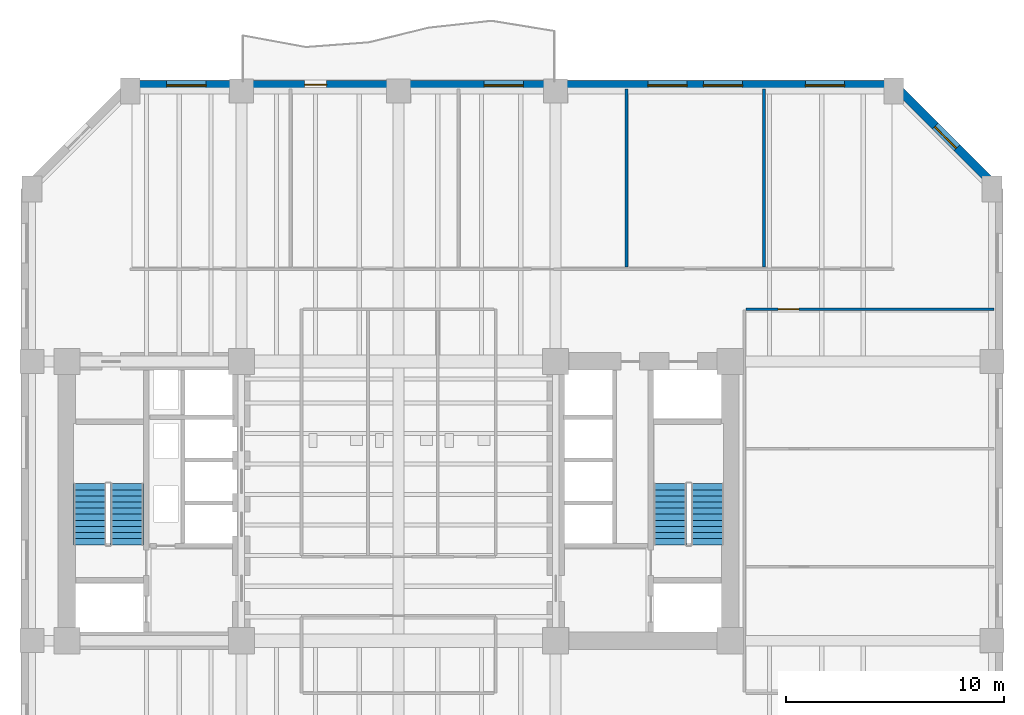
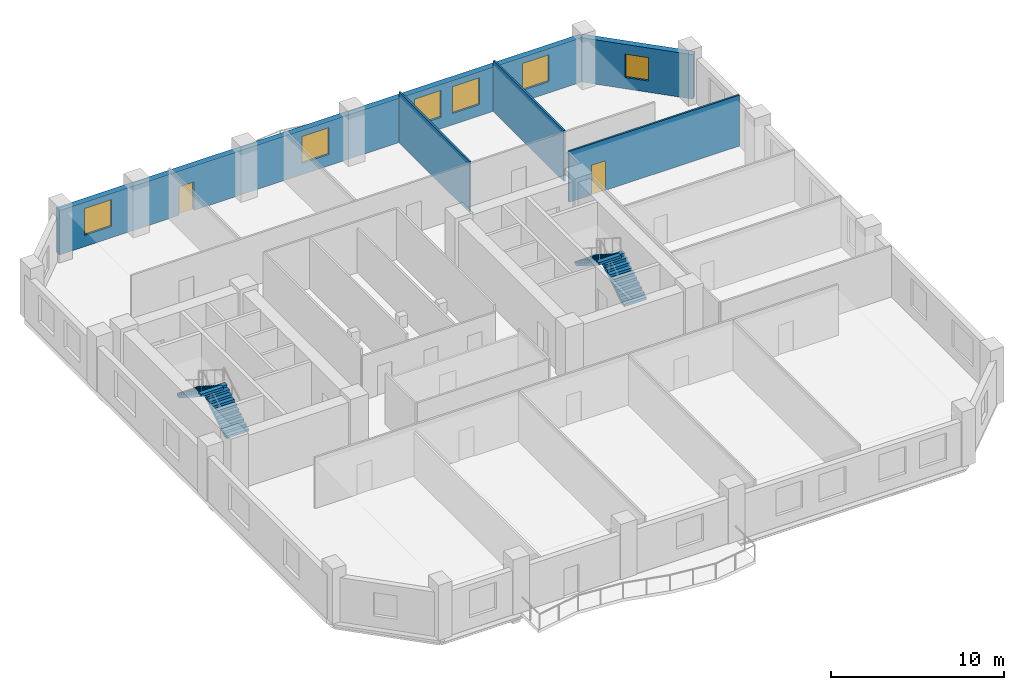
# One storey, part 5 of 9: 6 windows, 5 walls, 4 stair flights, 2 doors, 8 openings, 2 elements without a shape of their own.
"""IFC4 building model written with IfcOpenShell, lengths in metres."""

from ifc_helpers import new_model, si_unit, direction, frame, frame_2d, origin, place, context, subcontext, project, spatial, polyline, rectangle, outline, extrude, material, layer, layer_set, type_object, element, fill, aggregate, save


model = new_model("IFC4")

# Units and contexts
model_context = context("Model", 3, precision=1e-05, world=origin(), true_north=direction((0.0, 1.0)))
body_context = subcontext(model_context, "Body", "Model", "MODEL_VIEW")
ifc_project = project(units=[si_unit("LENGTHUNIT", "METRE"), si_unit("AREAUNIT", "SQUARE_METRE"), si_unit("VOLUMEUNIT", "CUBIC_METRE"), si_unit("PLANEANGLEUNIT", "RADIAN"), si_unit("MASSUNIT", "GRAM", prefix="KILO")], contexts=[model_context])

# Site, building, storey
site_placement = place(None, origin())
site = spatial("IfcSite", under=ifc_project, at=site_placement, CompositionType="ELEMENT")
building_placement = place(site_placement, origin())
building = spatial("IfcBuilding", under=site, at=building_placement, Name="Kranthara Brick Stack", CompositionType="ELEMENT")
storey_placement = place(building_placement, frame((0.0, 0.0, 59.39990234375)))
storey = spatial("IfcBuildingStorey", under=building, at=storey_placement, Name="L14", CompositionType="ELEMENT", Elevation=59.39990234375)

# Wall, openings, door, windows
ifc_material_1 = material(Name="Kiln-fired clay brick masonry M15", Category="masonry")
ifc_layer_1 = layer(ifc_material_1, 0.3798828125)
ifc_layer_set_1 = layer_set([ifc_layer_1], Name="Kiln-fired clay brick masonry M15")
wall_type_1 = type_object("IfcWallType", Name="WL-BRK-PIER-380", PredefinedType="STANDARD", material=ifc_layer_set_1)
wall_1_placement = place(storey_placement, frame((15.699951171875, 46.2900390625, 0.0), z_axis=(0.0, 0.0, 1.0), x_axis=(1.0, 0.0, 0.0)))
wall_1 = element("IfcWall", 1, at=wall_1_placement, inside=storey, type_object=wall_type_1, Name="L14 Exterior Brick Facade Wall NORTH 1", PredefinedType="STANDARD", context=body_context, shape_type="SweptSolid", body=[
    extrude(rectangle(XDim=35.0, YDim=0.3798828125, at=frame_2d((17.5, 0.0))), origin(), (0.0, 0.0, 1.0), 3.135009765625),
])
opening_1_placement = place(wall_1_placement, frame((8.0, 0.0, 0.0)))
opening_1 = element("IfcOpeningElement", 2, at=opening_1_placement, cuts=wall_1, Name="Opening D03", PredefinedType="OPENING", context=body_context, shape_type="SweptSolid", body=[
    extrude(rectangle(XDim=1.0, YDim=2.02001953125, at=frame_2d((0.5, 1.010009765625))), frame((0.0, 0.199951171875, 0.0), z_axis=(0.0, -1.0, 0.0), x_axis=(1.0, 0.0, 0.0)), (0.0, 0.0, 1.0), 0.39990234375),
])
opening_2_placement = place(wall_1_placement, frame((1.675048828125, 0.0, 0.800048828125)))
opening_2 = element("IfcOpeningElement", 3, at=opening_2_placement, cuts=wall_1, Name="Opening WN01", PredefinedType="OPENING", context=body_context, shape_type="SweptSolid", body=[
    extrude(rectangle(XDim=1.800048828125, YDim=1.89990234375, at=frame_2d((0.89990234375, 0.949951171875))), frame((0.0, 0.199951171875, 0.0), z_axis=(0.0, -1.0, 0.0), x_axis=(1.0, 0.0, 0.0)), (0.0, 0.0, 1.0), 0.39990234375),
])
opening_3_placement = place(wall_1_placement, frame((16.22509765625, 0.0, 0.800048828125)))
opening_3 = element("IfcOpeningElement", 4, at=opening_3_placement, cuts=wall_1, Name="Opening WN01", PredefinedType="OPENING", context=body_context, shape_type="SweptSolid", body=[
    extrude(rectangle(XDim=1.800048828125, YDim=1.89990234375, at=frame_2d((0.89990234375, 0.949951171875))), frame((0.0, 0.199951171875, 0.0), z_axis=(0.0, -1.0, 0.0), x_axis=(1.0, 0.0, 0.0)), (0.0, 0.0, 1.0), 0.39990234375),
])
opening_4_placement = place(wall_1_placement, frame((23.72802734375, 0.0, 0.800048828125)))
opening_4 = element("IfcOpeningElement", 5, at=opening_4_placement, cuts=wall_1, Name="Opening WN01", PredefinedType="OPENING", context=body_context, shape_type="SweptSolid", body=[
    extrude(rectangle(XDim=1.800048828125, YDim=1.89990234375, at=frame_2d((0.89990234375, 0.949951171875))), frame((0.0, 0.199951171875, 0.0), z_axis=(0.0, -1.0, 0.0), x_axis=(1.0, 0.0, 0.0)), (0.0, 0.0, 1.0), 0.39990234375),
])
opening_5_placement = place(wall_1_placement, frame((26.27197265625, 0.0, 0.800048828125)))
opening_5 = element("IfcOpeningElement", 6, at=opening_5_placement, cuts=wall_1, Name="Opening WN01", PredefinedType="OPENING", context=body_context, shape_type="SweptSolid", body=[
    extrude(rectangle(XDim=1.800048828125, YDim=1.89990234375, at=frame_2d((0.89990234375, 0.949951171875))), frame((0.0, 0.199951171875, 0.0), z_axis=(0.0, -1.0, 0.0), x_axis=(1.0, 0.0, 0.0)), (0.0, 0.0, 1.0), 0.39990234375),
])
opening_6_placement = place(wall_1_placement, frame((30.949951171875, 0.0, 0.800048828125)))
opening_6 = element("IfcOpeningElement", 7, at=opening_6_placement, cuts=wall_1, Name="Opening WN01", PredefinedType="OPENING", context=body_context, shape_type="SweptSolid", body=[
    extrude(rectangle(XDim=1.800048828125, YDim=1.89990234375, at=frame_2d((0.89990234375, 0.949951171875))), frame((0.0, 0.199951171875, 0.0), z_axis=(0.0, -1.0, 0.0), x_axis=(1.0, 0.0, 0.0)), (0.0, 0.0, 1.0), 0.39990234375),
])
ifc_material_2 = material(Name="Bronze anodised aluminium and laminated glass", Category="aluminium")
door_type_1 = type_object("IfcDoorType", Name="DR-BALC-1000", OperationType="NOTDEFINED", PredefinedType="DOOR", material=ifc_material_2)
door_1_placement = place(opening_1_placement, origin())
door_1 = element("IfcDoor", 8, at=door_1_placement, inside=storey, type_object=door_type_1, Name="L14 North Balcony Terrace Door", OperationType="SINGLE_SWING_RIGHT", OverallHeight=2.02001953125, OverallWidth=1.0, PredefinedType="DOOR", context=body_context, shape_type="SweptSolid", body=[
    extrude(rectangle(XDim=1.0, YDim=2.02001953125, at=frame_2d((0.5, 1.010009765625))), frame((0.0, 0.02490234375, 0.0), z_axis=(0.0, -1.0, 0.0), x_axis=(1.0, 0.0, 0.0)), (0.0, 0.0, 1.0), 0.050048828125),
])
fill(opening_1, door_1)
ifc_material_3 = material(Name="Double-glazed low-E solar control glass", Category="glass")
window_type_1 = type_object("IfcWindowType", Name="WN-OFF-1800x2000", PartitioningType="SINGLE_PANEL", PredefinedType="WINDOW", material=ifc_material_3)
window_1_placement = place(opening_2_placement, origin())
window_1 = element("IfcWindow", 9, at=window_1_placement, inside=storey, type_object=window_type_1, Name="L14 North Deep-Set Brick Window 01", OverallHeight=1.89990234375, OverallWidth=1.800048828125, PartitioningType="SINGLE_PANEL", PredefinedType="WINDOW", context=body_context, shape_type="SweptSolid", body=[
    extrude(rectangle(XDim=1.800048828125, YDim=1.89990234375, at=frame_2d((0.89990234375, 0.949951171875))), frame((0.0, -0.010009765625, 0.0), z_axis=(0.0, -1.0, 0.0), x_axis=(1.0, 0.0, 0.0)), (0.0, 0.0, 1.0), 0.06005859375),
])
fill(opening_2, window_1)
window_2_placement = place(opening_3_placement, origin())
window_2 = element("IfcWindow", 10, at=window_2_placement, inside=storey, type_object=window_type_1, Name="L14 North Deep-Set Brick Window 02", OverallHeight=1.89990234375, OverallWidth=1.800048828125, PartitioningType="SINGLE_PANEL", PredefinedType="WINDOW", context=body_context, shape_type="SweptSolid", body=[
    extrude(rectangle(XDim=1.800048828125, YDim=1.89990234375, at=frame_2d((0.89990234375, 0.949951171875))), frame((0.0, -0.010009765625, 0.0), z_axis=(0.0, -1.0, 0.0), x_axis=(1.0, 0.0, 0.0)), (0.0, 0.0, 1.0), 0.06005859375),
])
fill(opening_3, window_2)
window_3_placement = place(opening_4_placement, origin())
window_3 = element("IfcWindow", 11, at=window_3_placement, inside=storey, type_object=window_type_1, Name="L14 North Deep-Set Brick Window 03", OverallHeight=1.89990234375, OverallWidth=1.800048828125, PartitioningType="SINGLE_PANEL", PredefinedType="WINDOW", context=body_context, shape_type="SweptSolid", body=[
    extrude(rectangle(XDim=1.800048828125, YDim=1.89990234375, at=frame_2d((0.89990234375, 0.949951171875))), frame((0.0, -0.010009765625, 0.0), z_axis=(0.0, -1.0, 0.0), x_axis=(1.0, 0.0, 0.0)), (0.0, 0.0, 1.0), 0.06005859375),
])
fill(opening_4, window_3)
window_4_placement = place(opening_5_placement, origin())
window_4 = element("IfcWindow", 12, at=window_4_placement, inside=storey, type_object=window_type_1, Name="L14 North Deep-Set Brick Window 04", OverallHeight=1.89990234375, OverallWidth=1.800048828125, PartitioningType="SINGLE_PANEL", PredefinedType="WINDOW", context=body_context, shape_type="SweptSolid", body=[
    extrude(rectangle(XDim=1.800048828125, YDim=1.89990234375, at=frame_2d((0.89990234375, 0.949951171875))), frame((0.0, -0.010009765625, 0.0), z_axis=(0.0, -1.0, 0.0), x_axis=(1.0, 0.0, 0.0)), (0.0, 0.0, 1.0), 0.06005859375),
])
fill(opening_5, window_4)
window_5_placement = place(opening_6_placement, origin())
window_5 = element("IfcWindow", 13, at=window_5_placement, inside=storey, type_object=window_type_1, Name="L14 North Deep-Set Brick Window 05", OverallHeight=1.89990234375, OverallWidth=1.800048828125, PartitioningType="SINGLE_PANEL", PredefinedType="WINDOW", context=body_context, shape_type="SweptSolid", body=[
    extrude(rectangle(XDim=1.800048828125, YDim=1.89990234375, at=frame_2d((0.89990234375, 0.949951171875))), frame((0.0, -0.010009765625, 0.0), z_axis=(0.0, -1.0, 0.0), x_axis=(1.0, 0.0, 0.0)), (0.0, 0.0, 1.0), 0.06005859375),
])
fill(opening_6, window_5)

# Wall, opening, window
wall_2_placement = place(storey_placement, frame((50.699951171875, 46.2900390625, 0.0), z_axis=(0.0, 0.0, 1.0), x_axis=(0.707106781187, -0.707106781187, 0.0)))
wall_2 = element("IfcWall", 14, at=wall_2_placement, inside=storey, type_object=wall_type_1, Name="L14 Exterior Brick Facade Wall NE 1", PredefinedType="STANDARD", context=body_context, shape_type="SweptSolid", body=[
    extrude(rectangle(XDim=6.774169921875, YDim=0.3798828125, at=frame_2d((3.38720703125, 0.0))), origin(), (0.0, 0.0, 1.0), 3.135009765625),
])
opening_7_placement = place(wall_2_placement, frame((2.68701171875, 0.0, 0.800048828125)))
opening_7 = element("IfcOpeningElement", 15, at=opening_7_placement, cuts=wall_2, Name="Opening WN10", PredefinedType="OPENING", context=body_context, shape_type="SweptSolid", body=[
    extrude(rectangle(XDim=1.39990234375, YDim=1.64990234375, at=frame_2d((0.699951171875, 0.824951171875))), frame((0.0, 0.199951171875, 0.0), z_axis=(0.0, -1.0, 0.0), x_axis=(1.0, 0.0, 0.0)), (0.0, 0.0, 1.0), 0.39990234375),
])
ifc_material_4 = material(Name="Double-glazed low-E solar control glass", Category="glass")
window_type_2 = type_object("IfcWindowType", Name="WN-CHM-1400x1750", PartitioningType="SINGLE_PANEL", PredefinedType="WINDOW", material=ifc_material_4)
window_6_placement = place(opening_7_placement, origin())
window_6 = element("IfcWindow", 16, at=window_6_placement, inside=storey, type_object=window_type_2, Name="L14 NE Chamfer Corner Window", OverallHeight=1.64990234375, OverallWidth=1.39990234375, PartitioningType="SINGLE_PANEL", PredefinedType="WINDOW", context=body_context, shape_type="SweptSolid", body=[
    extrude(rectangle(XDim=1.39990234375, YDim=1.64990234375, at=frame_2d((0.699951171875, 0.824951171875))), frame((0.0, -0.010009765625, 0.0), z_axis=(0.0, -1.0, 0.0), x_axis=(1.0, 0.0, 0.0)), (0.0, 0.0, 1.0), 0.06005859375),
])
fill(opening_7, window_6)

# Walls
ifc_material_5 = material(Name="Acoustic gypsum plasterboard partition", Category="other")
ifc_layer_2 = layer(ifc_material_5, 0.1201171875)
ifc_layer_set_2 = layer_set([ifc_layer_2], Name="Acoustic gypsum plasterboard partition")
wall_type_2 = type_object("IfcWallType", Name="WL-PART-120", PredefinedType="PARTITIONING", material=ifc_layer_set_2)
for number, where, z_axis, x_axis, name in (
    (17, (38.449951171875, 37.919921875, 0.0), (0.0, 0.0, 1.0), (0.0, 1.0, 0.0), "L14 Interior Partition 019"),
    (18, (44.75, 37.919921875, 0.0), (0.0, 0.0, 1.0), (0.0, 1.0, 0.0), "L14 Interior Partition 020"),
):
    element("IfcWall", number, at=place(storey_placement, frame(where, z_axis=z_axis, x_axis=x_axis)), inside=storey, type_object=wall_type_2, Name=name, PredefinedType="PARTITIONING", context=body_context, shape_type="SweptSolid", body=[
        extrude(rectangle(XDim=8.175048828125, YDim=0.1201171875, at=frame_2d((4.08740234375, 0.0))), origin(), (0.0, 0.0, 1.0), 3.60009765625),
    ])

# Wall, opening, door
wall_3_placement = place(storey_placement, frame((43.9150390625, 36.0, 0.0), z_axis=(0.0, 0.0, 1.0), x_axis=(1.0, 0.0, 0.0)))
wall_3 = element("IfcWall", 19, at=wall_3_placement, inside=storey, type_object=wall_type_2, Name="L14 Interior Partition 023", PredefinedType="PARTITIONING", context=body_context, shape_type="SweptSolid", body=[
    extrude(rectangle(XDim=11.3798828125, YDim=0.1201171875, at=frame_2d((5.68994140625, 0.0))), origin(), (0.0, 0.0, 1.0), 3.60009765625),
])
opening_8_placement = place(wall_3_placement, frame((1.485107421875, 0.0, 0.0)))
opening_8 = element("IfcOpeningElement", 20, at=opening_8_placement, cuts=wall_3, Name="Opening D14", PredefinedType="OPENING", context=body_context, shape_type="SweptSolid", body=[
    extrude(rectangle(XDim=0.949951171875, YDim=2.10009765625, at=frame_2d((0.47509765625, 1.050048828125))), frame((0.0, 0.070068359375, 0.0), z_axis=(0.0, -1.0, 0.0), x_axis=(1.0, 0.0, 0.0)), (0.0, 0.0, 1.0), 0.14013671875),
])
ifc_material_6 = material(Name="Solid-core hardwood timber leaf in steel frame", Category="steel")
door_type_2 = type_object("IfcDoorType", Name="DR-INT-950", OperationType="NOTDEFINED", PredefinedType="DOOR", material=ifc_material_6)
door_2_placement = place(opening_8_placement, origin())
door_2 = element("IfcDoor", 21, at=door_2_placement, inside=storey, type_object=door_type_2, Name="L14 East North Office 18", OperationType="SINGLE_SWING_RIGHT", OverallHeight=2.10009765625, OverallWidth=0.949951171875, PredefinedType="DOOR", context=body_context, shape_type="SweptSolid", body=[
    extrude(rectangle(XDim=0.949951171875, YDim=2.10009765625, at=frame_2d((0.47509765625, 1.050048828125))), frame((0.0, 0.02490234375, 0.0), z_axis=(0.0, -1.0, 0.0), x_axis=(1.0, 0.0, 0.0)), (0.0, 0.0, 1.0), 0.050048828125),
])
fill(opening_8, door_2)

# Stair, stair flights
ifc_material_7 = material(Name="Concrete C45/55", Category="concrete")
stair_type = type_object("IfcStairType", Name="ST-CORE-22R", PredefinedType="HALF_TURN_STAIR", material=ifc_material_7)
stair_1_placement = place(storey_placement, origin())
stair_1 = element("IfcStair", 22, at=stair_1_placement, inside=storey, type_object=stair_type, Name="L14 West Core Protected Exit Stair ST01", PredefinedType="HALF_TURN_STAIR")
ifc_material_8 = material(Name="Concrete C45/55", Category="concrete")
stair_flight_type = type_object("IfcStairFlightType", Name="SFL-RC-22R", PredefinedType="STRAIGHT", material=ifc_material_8)
stair_flight_1_placement = place(storey_placement, frame((15.550048828125, 25.199951171875, 0.0), z_axis=(0.0, 0.0, 1.0), x_axis=(0.0, 1.0, 0.0)))
stair_flight_1 = element("IfcStairFlight", 23, at=stair_flight_1_placement, type_object=stair_flight_type, Name="ST01 flight 1", NumberOfRisers=11, NumberOfTreads=10, PredefinedType="STRAIGHT", RiserHeight=0.177272727, TreadLength=0.28, context=body_context, shape_type="SweptSolid", body=[
    extrude(outline(polyline([(0.0, 0.0), (0.0, 0.17724609375), (0.280029296875, 0.17724609375), (0.280029296875, 0.3544921875), (0.56005859375, 0.3544921875), (0.56005859375, 0.53173828125), (0.840087890625, 0.53173828125), (0.840087890625, 0.708984375), (1.1201171875, 0.708984375), (1.1201171875, 0.886474609375), (1.39990234375, 0.886474609375), (1.39990234375, 1.063720703125), (1.679931640625, 1.063720703125), (1.679931640625, 1.240966796875), (1.9599609375, 1.240966796875), (1.9599609375, 1.418212890625), (2.239990234375, 1.418212890625), (2.239990234375, 1.595458984375), (2.52001953125, 1.595458984375), (2.52001953125, 1.772705078125), (2.800048828125, 1.772705078125), (2.800048828125, 1.949951171875), (2.800048828125, 1.59521484375), (0.2802734375, 0.0), (0.0, 0.0)])), frame((0.0, 0.75, 0.0), z_axis=(0.0, -1.0, 0.0), x_axis=(1.0, 0.0, 0.0)), (0.0, 0.0, 1.0), 1.5),
])
stair_flight_2_placement = place(storey_placement, frame((13.85009765625, 28.0, 1.9501953125), z_axis=(0.0, 0.0, 1.0), x_axis=(0.0, -1.0, 0.0)))
stair_flight_2 = element("IfcStairFlight", 24, at=stair_flight_2_placement, type_object=stair_flight_type, Name="ST01 flight 2", NumberOfRisers=11, NumberOfTreads=10, PredefinedType="STRAIGHT", RiserHeight=0.177272727, TreadLength=0.28, context=body_context, shape_type="SweptSolid", body=[
    extrude(outline(polyline([(0.0, 0.0), (0.0, 0.17724609375), (0.280029296875, 0.17724609375), (0.280029296875, 0.3544921875), (0.56005859375, 0.3544921875), (0.56005859375, 0.53173828125), (0.840087890625, 0.53173828125), (0.840087890625, 0.708984375), (1.1201171875, 0.708984375), (1.1201171875, 0.886474609375), (1.39990234375, 0.886474609375), (1.39990234375, 1.063720703125), (1.679931640625, 1.063720703125), (1.679931640625, 1.240966796875), (1.9599609375, 1.240966796875), (1.9599609375, 1.418212890625), (2.239990234375, 1.418212890625), (2.239990234375, 1.595458984375), (2.52001953125, 1.595458984375), (2.52001953125, 1.772705078125), (2.800048828125, 1.772705078125), (2.800048828125, 1.949951171875), (2.800048828125, 1.59521484375), (0.2802734375, 0.0), (0.0, 0.0)])), frame((0.0, 0.75, 0.0), z_axis=(0.0, -1.0, 0.0), x_axis=(1.0, 0.0, 0.0)), (0.0, 0.0, 1.0), 1.5),
])
aggregate(stair_1, [stair_flight_1, stair_flight_2])

stair_2_placement = place(storey_placement, origin())
stair_2 = element("IfcStair", 25, at=stair_2_placement, inside=storey, type_object=stair_type, Name="L14 East Core Protected Exit Stair ST02", PredefinedType="HALF_TURN_STAIR")
stair_flight_3_placement = place(storey_placement, frame((42.14990234375, 25.199951171875, 0.0), z_axis=(0.0, 0.0, 1.0), x_axis=(0.0, 1.0, 0.0)))
stair_flight_3 = element("IfcStairFlight", 26, at=stair_flight_3_placement, type_object=stair_flight_type, Name="ST02 flight 1", NumberOfRisers=11, NumberOfTreads=10, PredefinedType="STRAIGHT", RiserHeight=0.177272727, TreadLength=0.28, context=body_context, shape_type="SweptSolid", body=[
    extrude(outline(polyline([(0.0, 0.0), (0.0, 0.17724609375), (0.280029296875, 0.17724609375), (0.280029296875, 0.3544921875), (0.56005859375, 0.3544921875), (0.56005859375, 0.53173828125), (0.840087890625, 0.53173828125), (0.840087890625, 0.708984375), (1.1201171875, 0.708984375), (1.1201171875, 0.886474609375), (1.39990234375, 0.886474609375), (1.39990234375, 1.063720703125), (1.679931640625, 1.063720703125), (1.679931640625, 1.240966796875), (1.9599609375, 1.240966796875), (1.9599609375, 1.418212890625), (2.239990234375, 1.418212890625), (2.239990234375, 1.595458984375), (2.52001953125, 1.595458984375), (2.52001953125, 1.772705078125), (2.800048828125, 1.772705078125), (2.800048828125, 1.949951171875), (2.800048828125, 1.59521484375), (0.2802734375, 0.0), (0.0, 0.0)])), frame((0.0, 0.75, 0.0), z_axis=(0.0, -1.0, 0.0), x_axis=(1.0, 0.0, 0.0)), (0.0, 0.0, 1.0), 1.5),
])
stair_flight_4_placement = place(storey_placement, frame((40.449951171875, 28.0, 1.9501953125), z_axis=(0.0, 0.0, 1.0), x_axis=(0.0, -1.0, 0.0)))
stair_flight_4 = element("IfcStairFlight", 27, at=stair_flight_4_placement, type_object=stair_flight_type, Name="ST02 flight 2", NumberOfRisers=11, NumberOfTreads=10, PredefinedType="STRAIGHT", RiserHeight=0.177272727, TreadLength=0.28, context=body_context, shape_type="SweptSolid", body=[
    extrude(outline(polyline([(0.0, 0.0), (0.0, 0.17724609375), (0.280029296875, 0.17724609375), (0.280029296875, 0.3544921875), (0.56005859375, 0.3544921875), (0.56005859375, 0.53173828125), (0.840087890625, 0.53173828125), (0.840087890625, 0.708984375), (1.1201171875, 0.708984375), (1.1201171875, 0.886474609375), (1.39990234375, 0.886474609375), (1.39990234375, 1.063720703125), (1.679931640625, 1.063720703125), (1.679931640625, 1.240966796875), (1.9599609375, 1.240966796875), (1.9599609375, 1.418212890625), (2.239990234375, 1.418212890625), (2.239990234375, 1.595458984375), (2.52001953125, 1.595458984375), (2.52001953125, 1.772705078125), (2.800048828125, 1.772705078125), (2.800048828125, 1.949951171875), (2.800048828125, 1.59521484375), (0.2802734375, 0.0), (0.0, 0.0)])), frame((0.0, 0.75, 0.0), z_axis=(0.0, -1.0, 0.0), x_axis=(1.0, 0.0, 0.0)), (0.0, 0.0, 1.0), 1.5),
])
aggregate(stair_2, [stair_flight_3, stair_flight_4])

save(model, "model.ifc")
